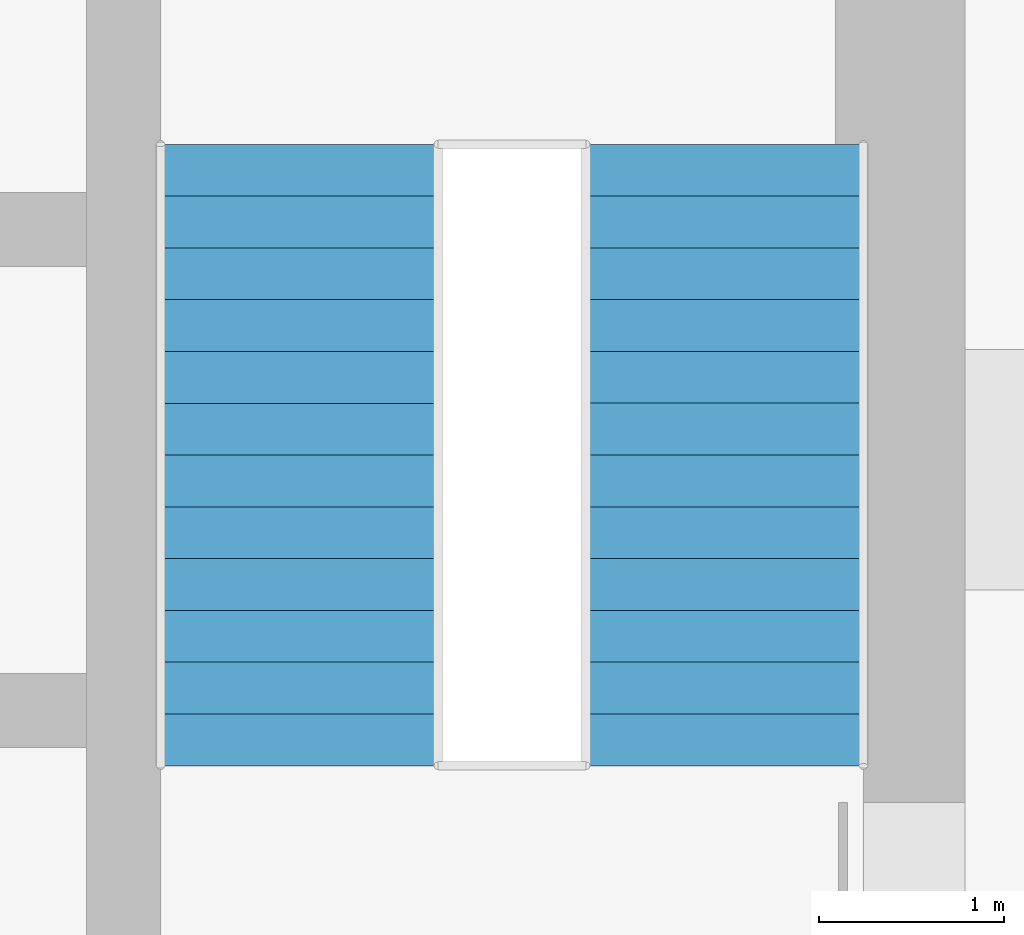
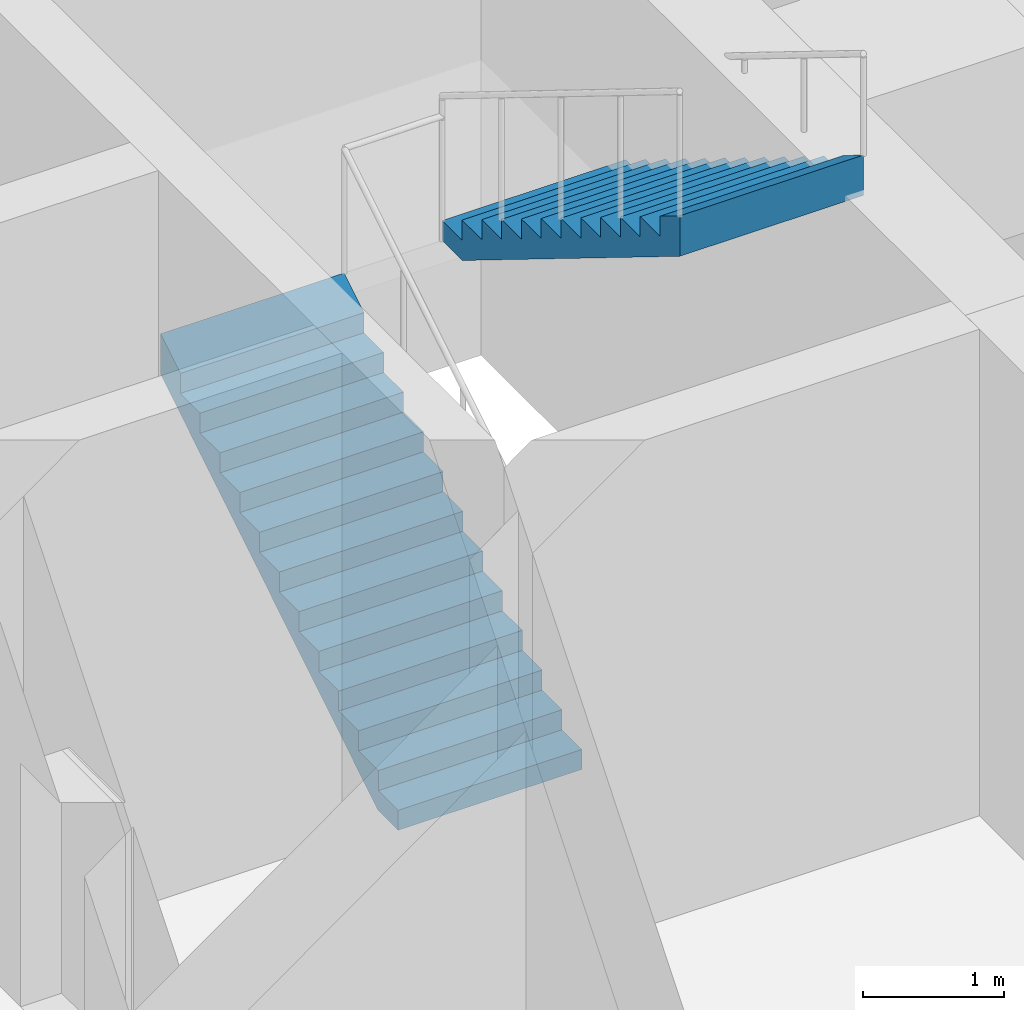
# One storey, part 8 of 9: 2 stair flights, 1 element without a shape of its own.
"""IFC4 building model written with IfcOpenShell, lengths in metres."""

from ifc_helpers import new_model, si_unit, direction, frame, origin, place, context, subcontext, project, spatial, triangles, material, type_object, element, aggregate, save


model = new_model("IFC4")

# Units and contexts
model_context = context("Model", 3, precision=1e-05, world=origin(), true_north=direction((0.0, 1.0)))
body_context = subcontext(model_context, "Body", "Model", "MODEL_VIEW")
ifc_project = project(units=[si_unit("LENGTHUNIT", "METRE"), si_unit("AREAUNIT", "SQUARE_METRE"), si_unit("VOLUMEUNIT", "CUBIC_METRE"), si_unit("PLANEANGLEUNIT", "RADIAN"), si_unit("MASSUNIT", "GRAM", prefix="KILO")], contexts=[model_context])

# Site, building, storey
site_placement = place(None, origin())
site = spatial("IfcSite", under=ifc_project, at=site_placement, CompositionType="ELEMENT")
building_placement = place(site_placement, origin())
building = spatial("IfcBuilding", under=site, at=building_placement, Name="Ludao Terraces", CompositionType="ELEMENT")
storey_placement = place(building_placement, frame((0.0, 0.0, 95.39990234375)))
storey = spatial("IfcBuildingStorey", under=building, at=storey_placement, Name="L26", CompositionType="ELEMENT", Elevation=95.39990234375)

# Stair, stair flights
ifc_material = material(Name="Concrete C40", Category="concrete")
stair_type = type_object("IfcStairType", Name="INT Stair", PredefinedType="HALF_TURN_STAIR", material=ifc_material)
stair_placement = place(storey_placement, origin())
stair = element("IfcStair", 1, at=stair_placement, inside=storey, type_object=stair_type, Name="EXIT STAIR 2", PredefinedType="HALF_TURN_STAIR")
stair_flight_type = type_object("IfcStairFlightType", Name="INT Stair flight", PredefinedType="STRAIGHT", material=ifc_material)
stair_flight_1_placement = place(storey_placement, frame((91.5, 79.0, 0.0), z_axis=(0.0, 0.0, 1.0), x_axis=(0.0, 1.0, 0.0)))
stair_flight_1 = element("IfcStairFlight", 2, at=stair_flight_1_placement, type_object=stair_flight_type, Name="ST2 flight 1", NumberOfRisers=13, NumberOfTreads=12, PredefinedType="STRAIGHT", RiserHeight=0.173077, TreadLength=0.28, context=body_context, shape_type="Tessellation", body=[
    triangles([(0.0, -0.75, 0.0), (0.0, -0.5, 0.0), (0.0, -0.25, 0.0), (0.0, 0.0, 0.0), (0.0, 0.25, 0.0), (0.0, 0.5, 0.0), (0.0, 0.75, 0.0), (0.0, -0.75, 0.173095703125), (0.0, -0.5, 0.173095703125), (0.0, -0.25, 0.173095703125), (0.0, 0.0, 0.173095703125), (0.0, 0.25, 0.173095703125), (0.0, 0.5, 0.173095703125), (0.0, 0.75, 0.173095703125), (0.280029296875, -0.75, 0.173095703125), (0.280029296875, -0.5, 0.173095703125), (0.280029296875, -0.25, 0.173095703125), (0.280029296875, 0.0, 0.173095703125), (0.280029296875, 0.25, 0.173095703125), (0.280029296875, 0.5, 0.173095703125), (0.280029296875, 0.75, 0.173095703125), (0.280029296875, -0.75, 0.34619140625), (0.280029296875, -0.5, 0.34619140625), (0.280029296875, -0.25, 0.34619140625), (0.280029296875, 0.0, 0.34619140625), (0.280029296875, 0.25, 0.34619140625), (0.280029296875, 0.5, 0.34619140625), (0.280029296875, 0.75, 0.34619140625), (0.56005859375, -0.75, 0.34619140625), (0.56005859375, -0.5, 0.34619140625), (0.56005859375, -0.25, 0.34619140625), (0.56005859375, 0.0, 0.34619140625), (0.56005859375, 0.25, 0.34619140625), (0.56005859375, 0.5, 0.34619140625), (0.56005859375, 0.75, 0.34619140625), (0.56005859375, -0.75, 0.519287109375), (0.56005859375, -0.5, 0.519287109375), (0.56005859375, -0.25, 0.519287109375), (0.56005859375, 0.0, 0.519287109375), (0.56005859375, 0.25, 0.519287109375), (0.56005859375, 0.5, 0.519287109375), (0.56005859375, 0.75, 0.519287109375), (0.840087890625, -0.75, 0.519287109375), (0.840087890625, -0.5, 0.519287109375), (0.840087890625, -0.25, 0.519287109375), (0.840087890625, 0.0, 0.519287109375), (0.840087890625, 0.25, 0.519287109375), (0.840087890625, 0.5, 0.519287109375), (0.840087890625, 0.75, 0.519287109375), (0.840087890625, -0.75, 0.6923828125), (0.840087890625, -0.5, 0.6923828125), (0.840087890625, -0.25, 0.6923828125), (0.840087890625, 0.0, 0.6923828125), (0.840087890625, 0.25, 0.6923828125), (0.840087890625, 0.5, 0.6923828125), (0.840087890625, 0.75, 0.6923828125), (1.1201171875, -0.75, 0.6923828125), (1.1201171875, -0.5, 0.6923828125), (1.1201171875, -0.25, 0.6923828125), (1.1201171875, 0.0, 0.6923828125), (1.1201171875, 0.25, 0.6923828125), (1.1201171875, 0.5, 0.6923828125), (1.1201171875, 0.75, 0.6923828125), (1.1201171875, -0.75, 0.865478515625), (1.1201171875, -0.5, 0.865478515625), (1.1201171875, -0.25, 0.865478515625), (1.1201171875, 0.0, 0.865478515625), (1.1201171875, 0.25, 0.865478515625), (1.1201171875, 0.5, 0.865478515625), (1.1201171875, 0.75, 0.865478515625), (1.39990234375, -0.75, 0.865478515625), (1.39990234375, -0.5, 0.865478515625), (1.39990234375, -0.25, 0.865478515625), (1.39990234375, 0.0, 0.865478515625), (1.39990234375, 0.25, 0.865478515625), (1.39990234375, 0.5, 0.865478515625), (1.39990234375, 0.75, 0.865478515625), (1.39990234375, -0.75, 1.03857421875), (1.39990234375, -0.5, 1.03857421875), (1.39990234375, -0.25, 1.03857421875), (1.39990234375, 0.0, 1.03857421875), (1.39990234375, 0.25, 1.03857421875), (1.39990234375, 0.5, 1.03857421875), (1.39990234375, 0.75, 1.03857421875), (1.679931640625, -0.75, 1.03857421875), (1.679931640625, -0.5, 1.03857421875), (1.679931640625, -0.25, 1.03857421875), (1.679931640625, 0.0, 1.03857421875), (1.679931640625, 0.25, 1.03857421875), (1.679931640625, 0.5, 1.03857421875), (1.679931640625, 0.75, 1.03857421875), (1.679931640625, -0.75, 1.21142578125), (1.679931640625, -0.5, 1.21142578125), (1.679931640625, -0.25, 1.21142578125), (1.679931640625, 0.0, 1.21142578125), (1.679931640625, 0.25, 1.21142578125), (1.679931640625, 0.5, 1.21142578125), (1.679931640625, 0.75, 1.21142578125), (1.9599609375, -0.75, 1.21142578125), (1.9599609375, -0.5, 1.21142578125), (1.9599609375, -0.25, 1.21142578125), (1.9599609375, 0.0, 1.21142578125), (1.9599609375, 0.25, 1.21142578125), (1.9599609375, 0.5, 1.21142578125), (1.9599609375, 0.75, 1.21142578125), (1.9599609375, -0.75, 1.384521484375), (1.9599609375, -0.5, 1.384521484375), (1.9599609375, -0.25, 1.384521484375), (1.9599609375, 0.0, 1.384521484375), (1.9599609375, 0.25, 1.384521484375), (1.9599609375, 0.5, 1.384521484375), (1.9599609375, 0.75, 1.384521484375), (2.239990234375, -0.75, 1.384521484375), (2.239990234375, -0.5, 1.384521484375), (2.239990234375, -0.25, 1.384521484375), (2.239990234375, 0.0, 1.384521484375), (2.239990234375, 0.25, 1.384521484375), (2.239990234375, 0.5, 1.384521484375), (2.239990234375, 0.75, 1.384521484375), (2.239990234375, -0.75, 1.5576171875), (2.239990234375, -0.5, 1.5576171875), (2.239990234375, -0.25, 1.5576171875), (2.239990234375, 0.0, 1.5576171875), (2.239990234375, 0.25, 1.5576171875), (2.239990234375, 0.5, 1.5576171875), (2.239990234375, 0.75, 1.5576171875), (2.52001953125, -0.75, 1.5576171875), (2.52001953125, -0.5, 1.5576171875), (2.52001953125, -0.25, 1.5576171875), (2.52001953125, 0.0, 1.5576171875), (2.52001953125, 0.25, 1.5576171875), (2.52001953125, 0.5, 1.5576171875), (2.52001953125, 0.75, 1.5576171875), (2.52001953125, -0.75, 1.730712890625), (2.52001953125, -0.5, 1.730712890625), (2.52001953125, -0.25, 1.730712890625), (2.52001953125, 0.0, 1.730712890625), (2.52001953125, 0.25, 1.730712890625), (2.52001953125, 0.5, 1.730712890625), (2.52001953125, 0.75, 1.730712890625), (2.800048828125, -0.75, 1.730712890625), (2.800048828125, -0.5, 1.730712890625), (2.800048828125, -0.25, 1.730712890625), (2.800048828125, 0.0, 1.730712890625), (2.800048828125, 0.25, 1.730712890625), (2.800048828125, 0.5, 1.730712890625), (2.800048828125, 0.75, 1.730712890625), (2.800048828125, -0.75, 1.90380859375), (2.800048828125, -0.5, 1.90380859375), (2.800048828125, -0.25, 1.90380859375), (2.800048828125, 0.0, 1.90380859375), (2.800048828125, 0.25, 1.90380859375), (2.800048828125, 0.5, 1.90380859375), (2.800048828125, 0.75, 1.90380859375), (3.080078125, -0.75, 1.90380859375), (3.080078125, -0.5, 1.90380859375), (3.080078125, -0.25, 1.90380859375), (3.080078125, 0.0, 1.90380859375), (3.080078125, 0.25, 1.90380859375), (3.080078125, 0.5, 1.90380859375), (3.080078125, 0.75, 1.90380859375), (3.080078125, -0.75, 2.076904296875), (3.080078125, -0.5, 2.076904296875), (3.080078125, -0.25, 2.076904296875), (3.080078125, 0.0, 2.076904296875), (3.080078125, 0.25, 2.076904296875), (3.080078125, 0.5, 2.076904296875), (3.080078125, 0.75, 2.076904296875), (3.360107421875, -0.75, 2.25), (3.360107421875, -0.5, 2.25), (3.360107421875, -0.25, 2.25), (3.360107421875, 0.0, 2.25), (3.360107421875, 0.25, 2.25), (3.360107421875, 0.5, 2.25), (3.360107421875, 0.75, 2.25), (3.360107421875, -0.75, 1.900634765625), (3.360107421875, -0.5, 1.900634765625), (3.360107421875, -0.25, 1.900634765625), (3.360107421875, 0.0, 1.900634765625), (3.360107421875, 0.25, 1.900634765625), (3.360107421875, 0.5, 1.900634765625), (3.360107421875, 0.75, 1.900634765625), (0.28515625, -0.75, 0.0), (0.28515625, -0.5, 0.0), (0.28515625, -0.25, 0.0), (0.28515625, 0.0, 0.0), (0.28515625, 0.25, 0.0), (0.28515625, 0.5, 0.0), (0.28515625, 0.75, 0.0)], [[1, 183, 176], [7, 182, 189], [176, 169, 162], [182, 168, 175], [176, 162, 155], [182, 161, 168], [176, 155, 148], [182, 154, 161], [176, 148, 141], [182, 147, 154], [141, 134, 127], [147, 133, 140], [176, 141, 127], [182, 133, 147], [127, 120, 113], [133, 119, 126], [176, 127, 113], [182, 119, 133], [113, 106, 99], [119, 105, 112], [176, 113, 99], [182, 105, 119], [1, 176, 99], [7, 105, 182], [99, 92, 85], [105, 91, 98], [85, 78, 71], [91, 77, 84], [99, 85, 71], [105, 77, 91], [71, 64, 57], [77, 63, 70], [99, 71, 57], [105, 63, 77], [57, 50, 43], [63, 49, 56], [99, 57, 43], [105, 49, 63], [43, 36, 29], [49, 35, 42], [99, 43, 29], [105, 35, 49], [29, 22, 15], [35, 21, 28], [99, 29, 15], [105, 21, 35], [1, 99, 15], [7, 21, 105], [15, 8, 1], [21, 7, 14], [1, 9, 2], [1, 8, 9], [2, 10, 3], [2, 9, 10], [3, 11, 4], [3, 10, 11], [4, 12, 5], [4, 11, 12], [5, 13, 6], [5, 12, 13], [6, 14, 7], [6, 13, 14], [8, 16, 9], [8, 15, 16], [9, 17, 10], [9, 16, 17], [10, 18, 11], [10, 17, 18], [11, 19, 12], [11, 18, 19], [12, 20, 13], [12, 19, 20], [13, 21, 14], [13, 20, 21], [15, 23, 16], [15, 22, 23], [16, 24, 17], [16, 23, 24], [17, 25, 18], [17, 24, 25], [18, 26, 19], [18, 25, 26], [19, 27, 20], [19, 26, 27], [20, 28, 21], [20, 27, 28], [22, 30, 23], [22, 29, 30], [23, 31, 24], [23, 30, 31], [24, 32, 25], [24, 31, 32], [25, 33, 26], [25, 32, 33], [26, 34, 27], [26, 33, 34], [27, 35, 28], [27, 34, 35], [29, 37, 30], [29, 36, 37], [30, 38, 31], [30, 37, 38], [31, 39, 32], [31, 38, 39], [32, 40, 33], [32, 39, 40], [33, 41, 34], [33, 40, 41], [34, 42, 35], [34, 41, 42], [36, 44, 37], [36, 43, 44], [37, 45, 38], [37, 44, 45], [38, 46, 39], [38, 45, 46], [39, 47, 40], [39, 46, 47], [40, 48, 41], [40, 47, 48], [41, 49, 42], [41, 48, 49], [43, 51, 44], [43, 50, 51], [44, 52, 45], [44, 51, 52], [45, 53, 46], [45, 52, 53], [46, 54, 47], [46, 53, 54], [47, 55, 48], [47, 54, 55], [48, 56, 49], [48, 55, 56], [50, 58, 51], [50, 57, 58], [51, 59, 52], [51, 58, 59], [52, 60, 53], [52, 59, 60], [53, 61, 54], [53, 60, 61], [54, 62, 55], [54, 61, 62], [55, 63, 56], [55, 62, 63], [57, 65, 58], [57, 64, 65], [58, 66, 59], [58, 65, 66], [59, 67, 60], [59, 66, 67], [60, 68, 61], [60, 67, 68], [61, 69, 62], [61, 68, 69], [62, 70, 63], [62, 69, 70], [64, 72, 65], [64, 71, 72], [65, 73, 66], [65, 72, 73], [66, 74, 67], [66, 73, 74], [67, 75, 68], [67, 74, 75], [68, 76, 69], [68, 75, 76], [69, 77, 70], [69, 76, 77], [71, 79, 72], [71, 78, 79], [72, 80, 73], [72, 79, 80], [73, 81, 74], [73, 80, 81], [74, 82, 75], [74, 81, 82], [75, 83, 76], [75, 82, 83], [76, 84, 77], [76, 83, 84], [78, 86, 79], [78, 85, 86], [79, 87, 80], [79, 86, 87], [80, 88, 81], [80, 87, 88], [81, 89, 82], [81, 88, 89], [82, 90, 83], [82, 89, 90], [83, 91, 84], [83, 90, 91], [85, 93, 86], [85, 92, 93], [86, 94, 87], [86, 93, 94], [87, 95, 88], [87, 94, 95], [88, 96, 89], [88, 95, 96], [89, 97, 90], [89, 96, 97], [90, 98, 91], [90, 97, 98], [92, 100, 93], [92, 99, 100], [93, 101, 94], [93, 100, 101], [94, 102, 95], [94, 101, 102], [95, 103, 96], [95, 102, 103], [96, 104, 97], [96, 103, 104], [97, 105, 98], [97, 104, 105], [99, 107, 100], [99, 106, 107], [100, 108, 101], [100, 107, 108], [101, 109, 102], [101, 108, 109], [102, 110, 103], [102, 109, 110], [103, 111, 104], [103, 110, 111], [104, 112, 105], [104, 111, 112], [106, 114, 107], [106, 113, 114], [107, 115, 108], [107, 114, 115], [108, 116, 109], [108, 115, 116], [109, 117, 110], [109, 116, 117], [110, 118, 111], [110, 117, 118], [111, 119, 112], [111, 118, 119], [113, 121, 114], [113, 120, 121], [114, 122, 115], [114, 121, 122], [115, 123, 116], [115, 122, 123], [116, 124, 117], [116, 123, 124], [117, 125, 118], [117, 124, 125], [118, 126, 119], [118, 125, 126], [120, 128, 121], [120, 127, 128], [121, 129, 122], [121, 128, 129], [122, 130, 123], [122, 129, 130], [123, 131, 124], [123, 130, 131], [124, 132, 125], [124, 131, 132], [125, 133, 126], [125, 132, 133], [127, 135, 128], [127, 134, 135], [128, 136, 129], [128, 135, 136], [129, 137, 130], [129, 136, 137], [130, 138, 131], [130, 137, 138], [131, 139, 132], [131, 138, 139], [132, 140, 133], [132, 139, 140], [134, 142, 135], [134, 141, 142], [135, 143, 136], [135, 142, 143], [136, 144, 137], [136, 143, 144], [137, 145, 138], [137, 144, 145], [138, 146, 139], [138, 145, 146], [139, 147, 140], [139, 146, 147], [141, 149, 142], [141, 148, 149], [142, 150, 143], [142, 149, 150], [143, 151, 144], [143, 150, 151], [144, 152, 145], [144, 151, 152], [145, 153, 146], [145, 152, 153], [146, 154, 147], [146, 153, 154], [148, 156, 149], [148, 155, 156], [149, 157, 150], [149, 156, 157], [150, 158, 151], [150, 157, 158], [151, 159, 152], [151, 158, 159], [152, 160, 153], [152, 159, 160], [153, 161, 154], [153, 160, 161], [155, 163, 156], [155, 162, 163], [156, 164, 157], [156, 163, 164], [157, 165, 158], [157, 164, 165], [158, 166, 159], [158, 165, 166], [159, 167, 160], [159, 166, 167], [160, 168, 161], [160, 167, 168], [162, 170, 163], [162, 169, 170], [163, 171, 164], [163, 170, 171], [164, 172, 165], [164, 171, 172], [165, 173, 166], [165, 172, 173], [166, 174, 167], [166, 173, 174], [167, 175, 168], [167, 174, 175], [169, 177, 170], [169, 176, 177], [170, 178, 171], [170, 177, 178], [171, 179, 172], [171, 178, 179], [172, 180, 173], [172, 179, 180], [173, 181, 174], [173, 180, 181], [174, 182, 175], [174, 181, 182], [176, 184, 177], [176, 183, 184], [177, 185, 178], [177, 184, 185], [178, 186, 179], [178, 185, 186], [179, 187, 180], [179, 186, 187], [180, 188, 181], [180, 187, 188], [181, 189, 182], [181, 188, 189], [183, 2, 184], [183, 1, 2], [184, 3, 185], [184, 2, 3], [185, 4, 186], [185, 3, 4], [186, 5, 187], [186, 4, 5], [187, 6, 188], [187, 5, 6], [188, 7, 189], [188, 6, 7]], closed=True),
])
stair_flight_2_placement = place(storey_placement, frame((93.800048828125, 82.360107421875, 2.25), z_axis=(0.0, 0.0, 1.0), x_axis=(0.0, -1.0, 0.0)))
stair_flight_2 = element("IfcStairFlight", 3, at=stair_flight_2_placement, type_object=stair_flight_type, Name="ST2 flight 2", NumberOfRisers=13, NumberOfTreads=12, PredefinedType="STRAIGHT", RiserHeight=0.173077, TreadLength=0.28, context=body_context, shape_type="Tessellation", body=[
    triangles([(0.0, -0.75, 0.0), (0.0, -0.5, 0.0), (0.0, -0.25, 0.0), (0.0, 0.0, 0.0), (0.0, 0.25, 0.0), (0.0, 0.5, 0.0), (0.0, 0.75, 0.0), (0.0, -0.75, 0.173095703125), (0.0, -0.5, 0.173095703125), (0.0, -0.25, 0.173095703125), (0.0, 0.0, 0.173095703125), (0.0, 0.25, 0.173095703125), (0.0, 0.5, 0.173095703125), (0.0, 0.75, 0.173095703125), (0.280029296875, -0.75, 0.173095703125), (0.280029296875, -0.5, 0.173095703125), (0.280029296875, -0.25, 0.173095703125), (0.280029296875, 0.0, 0.173095703125), (0.280029296875, 0.25, 0.173095703125), (0.280029296875, 0.5, 0.173095703125), (0.280029296875, 0.75, 0.173095703125), (0.280029296875, -0.75, 0.34619140625), (0.280029296875, -0.5, 0.34619140625), (0.280029296875, -0.25, 0.34619140625), (0.280029296875, 0.0, 0.34619140625), (0.280029296875, 0.25, 0.34619140625), (0.280029296875, 0.5, 0.34619140625), (0.280029296875, 0.75, 0.34619140625), (0.56005859375, -0.75, 0.34619140625), (0.56005859375, -0.5, 0.34619140625), (0.56005859375, -0.25, 0.34619140625), (0.56005859375, 0.0, 0.34619140625), (0.56005859375, 0.25, 0.34619140625), (0.56005859375, 0.5, 0.34619140625), (0.56005859375, 0.75, 0.34619140625), (0.56005859375, -0.75, 0.519287109375), (0.56005859375, -0.5, 0.519287109375), (0.56005859375, -0.25, 0.519287109375), (0.56005859375, 0.0, 0.519287109375), (0.56005859375, 0.25, 0.519287109375), (0.56005859375, 0.5, 0.519287109375), (0.56005859375, 0.75, 0.519287109375), (0.840087890625, -0.75, 0.519287109375), (0.840087890625, -0.5, 0.519287109375), (0.840087890625, -0.25, 0.519287109375), (0.840087890625, 0.0, 0.519287109375), (0.840087890625, 0.25, 0.519287109375), (0.840087890625, 0.5, 0.519287109375), (0.840087890625, 0.75, 0.519287109375), (0.840087890625, -0.75, 0.6923828125), (0.840087890625, -0.5, 0.6923828125), (0.840087890625, -0.25, 0.6923828125), (0.840087890625, 0.0, 0.6923828125), (0.840087890625, 0.25, 0.6923828125), (0.840087890625, 0.5, 0.6923828125), (0.840087890625, 0.75, 0.6923828125), (1.1201171875, -0.75, 0.6923828125), (1.1201171875, -0.5, 0.6923828125), (1.1201171875, -0.25, 0.6923828125), (1.1201171875, 0.0, 0.6923828125), (1.1201171875, 0.25, 0.6923828125), (1.1201171875, 0.5, 0.6923828125), (1.1201171875, 0.75, 0.6923828125), (1.1201171875, -0.75, 0.865478515625), (1.1201171875, -0.5, 0.865478515625), (1.1201171875, -0.25, 0.865478515625), (1.1201171875, 0.0, 0.865478515625), (1.1201171875, 0.25, 0.865478515625), (1.1201171875, 0.5, 0.865478515625), (1.1201171875, 0.75, 0.865478515625), (1.39990234375, -0.75, 0.865478515625), (1.39990234375, -0.5, 0.865478515625), (1.39990234375, -0.25, 0.865478515625), (1.39990234375, 0.0, 0.865478515625), (1.39990234375, 0.25, 0.865478515625), (1.39990234375, 0.5, 0.865478515625), (1.39990234375, 0.75, 0.865478515625), (1.39990234375, -0.75, 1.03857421875), (1.39990234375, -0.5, 1.03857421875), (1.39990234375, -0.25, 1.03857421875), (1.39990234375, 0.0, 1.03857421875), (1.39990234375, 0.25, 1.03857421875), (1.39990234375, 0.5, 1.03857421875), (1.39990234375, 0.75, 1.03857421875), (1.679931640625, -0.75, 1.03857421875), (1.679931640625, -0.5, 1.03857421875), (1.679931640625, -0.25, 1.03857421875), (1.679931640625, 0.0, 1.03857421875), (1.679931640625, 0.25, 1.03857421875), (1.679931640625, 0.5, 1.03857421875), (1.679931640625, 0.75, 1.03857421875), (1.679931640625, -0.75, 1.21142578125), (1.679931640625, -0.5, 1.21142578125), (1.679931640625, -0.25, 1.21142578125), (1.679931640625, 0.0, 1.21142578125), (1.679931640625, 0.25, 1.21142578125), (1.679931640625, 0.5, 1.21142578125), (1.679931640625, 0.75, 1.21142578125), (1.9599609375, -0.75, 1.21142578125), (1.9599609375, -0.5, 1.21142578125), (1.9599609375, -0.25, 1.21142578125), (1.9599609375, 0.0, 1.21142578125), (1.9599609375, 0.25, 1.21142578125), (1.9599609375, 0.5, 1.21142578125), (1.9599609375, 0.75, 1.21142578125), (1.9599609375, -0.75, 1.384521484375), (1.9599609375, -0.5, 1.384521484375), (1.9599609375, -0.25, 1.384521484375), (1.9599609375, 0.0, 1.384521484375), (1.9599609375, 0.25, 1.384521484375), (1.9599609375, 0.5, 1.384521484375), (1.9599609375, 0.75, 1.384521484375), (2.239990234375, -0.75, 1.384521484375), (2.239990234375, -0.5, 1.384521484375), (2.239990234375, -0.25, 1.384521484375), (2.239990234375, 0.0, 1.384521484375), (2.239990234375, 0.25, 1.384521484375), (2.239990234375, 0.5, 1.384521484375), (2.239990234375, 0.75, 1.384521484375), (2.239990234375, -0.75, 1.5576171875), (2.239990234375, -0.5, 1.5576171875), (2.239990234375, -0.25, 1.5576171875), (2.239990234375, 0.0, 1.5576171875), (2.239990234375, 0.25, 1.5576171875), (2.239990234375, 0.5, 1.5576171875), (2.239990234375, 0.75, 1.5576171875), (2.52001953125, -0.75, 1.5576171875), (2.52001953125, -0.5, 1.5576171875), (2.52001953125, -0.25, 1.5576171875), (2.52001953125, 0.0, 1.5576171875), (2.52001953125, 0.25, 1.5576171875), (2.52001953125, 0.5, 1.5576171875), (2.52001953125, 0.75, 1.5576171875), (2.52001953125, -0.75, 1.730712890625), (2.52001953125, -0.5, 1.730712890625), (2.52001953125, -0.25, 1.730712890625), (2.52001953125, 0.0, 1.730712890625), (2.52001953125, 0.25, 1.730712890625), (2.52001953125, 0.5, 1.730712890625), (2.52001953125, 0.75, 1.730712890625), (2.800048828125, -0.75, 1.730712890625), (2.800048828125, -0.5, 1.730712890625), (2.800048828125, -0.25, 1.730712890625), (2.800048828125, 0.0, 1.730712890625), (2.800048828125, 0.25, 1.730712890625), (2.800048828125, 0.5, 1.730712890625), (2.800048828125, 0.75, 1.730712890625), (2.800048828125, -0.75, 1.90380859375), (2.800048828125, -0.5, 1.90380859375), (2.800048828125, -0.25, 1.90380859375), (2.800048828125, 0.0, 1.90380859375), (2.800048828125, 0.25, 1.90380859375), (2.800048828125, 0.5, 1.90380859375), (2.800048828125, 0.75, 1.90380859375), (3.080078125, -0.75, 1.90380859375), (3.080078125, -0.5, 1.90380859375), (3.080078125, -0.25, 1.90380859375), (3.080078125, 0.0, 1.90380859375), (3.080078125, 0.25, 1.90380859375), (3.080078125, 0.5, 1.90380859375), (3.080078125, 0.75, 1.90380859375), (3.080078125, -0.75, 2.076904296875), (3.080078125, -0.5, 2.076904296875), (3.080078125, -0.25, 2.076904296875), (3.080078125, 0.0, 2.076904296875), (3.080078125, 0.25, 2.076904296875), (3.080078125, 0.5, 2.076904296875), (3.080078125, 0.75, 2.076904296875), (3.360107421875, -0.75, 2.25), (3.360107421875, -0.5, 2.25), (3.360107421875, -0.25, 2.25), (3.360107421875, 0.0, 2.25), (3.360107421875, 0.25, 2.25), (3.360107421875, 0.5, 2.25), (3.360107421875, 0.75, 2.25), (3.360107421875, -0.75, 1.900634765625), (3.360107421875, -0.5, 1.900634765625), (3.360107421875, -0.25, 1.900634765625), (3.360107421875, 0.0, 1.900634765625), (3.360107421875, 0.25, 1.900634765625), (3.360107421875, 0.5, 1.900634765625), (3.360107421875, 0.75, 1.900634765625), (0.28515625, -0.75, 0.0), (0.28515625, -0.5, 0.0), (0.28515625, -0.25, 0.0), (0.28515625, 0.0, 0.0), (0.28515625, 0.25, 0.0), (0.28515625, 0.5, 0.0), (0.28515625, 0.75, 0.0)], [[1, 183, 176], [7, 182, 189], [176, 169, 162], [182, 168, 175], [176, 162, 155], [182, 161, 168], [176, 155, 148], [182, 154, 161], [176, 148, 141], [182, 147, 154], [141, 134, 127], [147, 133, 140], [176, 141, 127], [182, 133, 147], [127, 120, 113], [133, 119, 126], [176, 127, 113], [182, 119, 133], [113, 106, 99], [119, 105, 112], [176, 113, 99], [182, 105, 119], [1, 176, 99], [7, 105, 182], [99, 92, 85], [105, 91, 98], [85, 78, 71], [91, 77, 84], [99, 85, 71], [105, 77, 91], [71, 64, 57], [77, 63, 70], [99, 71, 57], [105, 63, 77], [57, 50, 43], [63, 49, 56], [99, 57, 43], [105, 49, 63], [43, 36, 29], [49, 35, 42], [99, 43, 29], [105, 35, 49], [29, 22, 15], [35, 21, 28], [99, 29, 15], [105, 21, 35], [1, 99, 15], [7, 21, 105], [15, 8, 1], [21, 7, 14], [1, 9, 2], [1, 8, 9], [2, 10, 3], [2, 9, 10], [3, 11, 4], [3, 10, 11], [4, 12, 5], [4, 11, 12], [5, 13, 6], [5, 12, 13], [6, 14, 7], [6, 13, 14], [8, 16, 9], [8, 15, 16], [9, 17, 10], [9, 16, 17], [10, 18, 11], [10, 17, 18], [11, 19, 12], [11, 18, 19], [12, 20, 13], [12, 19, 20], [13, 21, 14], [13, 20, 21], [15, 23, 16], [15, 22, 23], [16, 24, 17], [16, 23, 24], [17, 25, 18], [17, 24, 25], [18, 26, 19], [18, 25, 26], [19, 27, 20], [19, 26, 27], [20, 28, 21], [20, 27, 28], [22, 30, 23], [22, 29, 30], [23, 31, 24], [23, 30, 31], [24, 32, 25], [24, 31, 32], [25, 33, 26], [25, 32, 33], [26, 34, 27], [26, 33, 34], [27, 35, 28], [27, 34, 35], [29, 37, 30], [29, 36, 37], [30, 38, 31], [30, 37, 38], [31, 39, 32], [31, 38, 39], [32, 40, 33], [32, 39, 40], [33, 41, 34], [33, 40, 41], [34, 42, 35], [34, 41, 42], [36, 44, 37], [36, 43, 44], [37, 45, 38], [37, 44, 45], [38, 46, 39], [38, 45, 46], [39, 47, 40], [39, 46, 47], [40, 48, 41], [40, 47, 48], [41, 49, 42], [41, 48, 49], [43, 51, 44], [43, 50, 51], [44, 52, 45], [44, 51, 52], [45, 53, 46], [45, 52, 53], [46, 54, 47], [46, 53, 54], [47, 55, 48], [47, 54, 55], [48, 56, 49], [48, 55, 56], [50, 58, 51], [50, 57, 58], [51, 59, 52], [51, 58, 59], [52, 60, 53], [52, 59, 60], [53, 61, 54], [53, 60, 61], [54, 62, 55], [54, 61, 62], [55, 63, 56], [55, 62, 63], [57, 65, 58], [57, 64, 65], [58, 66, 59], [58, 65, 66], [59, 67, 60], [59, 66, 67], [60, 68, 61], [60, 67, 68], [61, 69, 62], [61, 68, 69], [62, 70, 63], [62, 69, 70], [64, 72, 65], [64, 71, 72], [65, 73, 66], [65, 72, 73], [66, 74, 67], [66, 73, 74], [67, 75, 68], [67, 74, 75], [68, 76, 69], [68, 75, 76], [69, 77, 70], [69, 76, 77], [71, 79, 72], [71, 78, 79], [72, 80, 73], [72, 79, 80], [73, 81, 74], [73, 80, 81], [74, 82, 75], [74, 81, 82], [75, 83, 76], [75, 82, 83], [76, 84, 77], [76, 83, 84], [78, 86, 79], [78, 85, 86], [79, 87, 80], [79, 86, 87], [80, 88, 81], [80, 87, 88], [81, 89, 82], [81, 88, 89], [82, 90, 83], [82, 89, 90], [83, 91, 84], [83, 90, 91], [85, 93, 86], [85, 92, 93], [86, 94, 87], [86, 93, 94], [87, 95, 88], [87, 94, 95], [88, 96, 89], [88, 95, 96], [89, 97, 90], [89, 96, 97], [90, 98, 91], [90, 97, 98], [92, 100, 93], [92, 99, 100], [93, 101, 94], [93, 100, 101], [94, 102, 95], [94, 101, 102], [95, 103, 96], [95, 102, 103], [96, 104, 97], [96, 103, 104], [97, 105, 98], [97, 104, 105], [99, 107, 100], [99, 106, 107], [100, 108, 101], [100, 107, 108], [101, 109, 102], [101, 108, 109], [102, 110, 103], [102, 109, 110], [103, 111, 104], [103, 110, 111], [104, 112, 105], [104, 111, 112], [106, 114, 107], [106, 113, 114], [107, 115, 108], [107, 114, 115], [108, 116, 109], [108, 115, 116], [109, 117, 110], [109, 116, 117], [110, 118, 111], [110, 117, 118], [111, 119, 112], [111, 118, 119], [113, 121, 114], [113, 120, 121], [114, 122, 115], [114, 121, 122], [115, 123, 116], [115, 122, 123], [116, 124, 117], [116, 123, 124], [117, 125, 118], [117, 124, 125], [118, 126, 119], [118, 125, 126], [120, 128, 121], [120, 127, 128], [121, 129, 122], [121, 128, 129], [122, 130, 123], [122, 129, 130], [123, 131, 124], [123, 130, 131], [124, 132, 125], [124, 131, 132], [125, 133, 126], [125, 132, 133], [127, 135, 128], [127, 134, 135], [128, 136, 129], [128, 135, 136], [129, 137, 130], [129, 136, 137], [130, 138, 131], [130, 137, 138], [131, 139, 132], [131, 138, 139], [132, 140, 133], [132, 139, 140], [134, 142, 135], [134, 141, 142], [135, 143, 136], [135, 142, 143], [136, 144, 137], [136, 143, 144], [137, 145, 138], [137, 144, 145], [138, 146, 139], [138, 145, 146], [139, 147, 140], [139, 146, 147], [141, 149, 142], [141, 148, 149], [142, 150, 143], [142, 149, 150], [143, 151, 144], [143, 150, 151], [144, 152, 145], [144, 151, 152], [145, 153, 146], [145, 152, 153], [146, 154, 147], [146, 153, 154], [148, 156, 149], [148, 155, 156], [149, 157, 150], [149, 156, 157], [150, 158, 151], [150, 157, 158], [151, 159, 152], [151, 158, 159], [152, 160, 153], [152, 159, 160], [153, 161, 154], [153, 160, 161], [155, 163, 156], [155, 162, 163], [156, 164, 157], [156, 163, 164], [157, 165, 158], [157, 164, 165], [158, 166, 159], [158, 165, 166], [159, 167, 160], [159, 166, 167], [160, 168, 161], [160, 167, 168], [162, 170, 163], [162, 169, 170], [163, 171, 164], [163, 170, 171], [164, 172, 165], [164, 171, 172], [165, 173, 166], [165, 172, 173], [166, 174, 167], [166, 173, 174], [167, 175, 168], [167, 174, 175], [169, 177, 170], [169, 176, 177], [170, 178, 171], [170, 177, 178], [171, 179, 172], [171, 178, 179], [172, 180, 173], [172, 179, 180], [173, 181, 174], [173, 180, 181], [174, 182, 175], [174, 181, 182], [176, 184, 177], [176, 183, 184], [177, 185, 178], [177, 184, 185], [178, 186, 179], [178, 185, 186], [179, 187, 180], [179, 186, 187], [180, 188, 181], [180, 187, 188], [181, 189, 182], [181, 188, 189], [183, 2, 184], [183, 1, 2], [184, 3, 185], [184, 2, 3], [185, 4, 186], [185, 3, 4], [186, 5, 187], [186, 4, 5], [187, 6, 188], [187, 5, 6], [188, 7, 189], [188, 6, 7]], closed=True),
])
aggregate(stair, [stair_flight_1, stair_flight_2])

save(model, "model.ifc")
